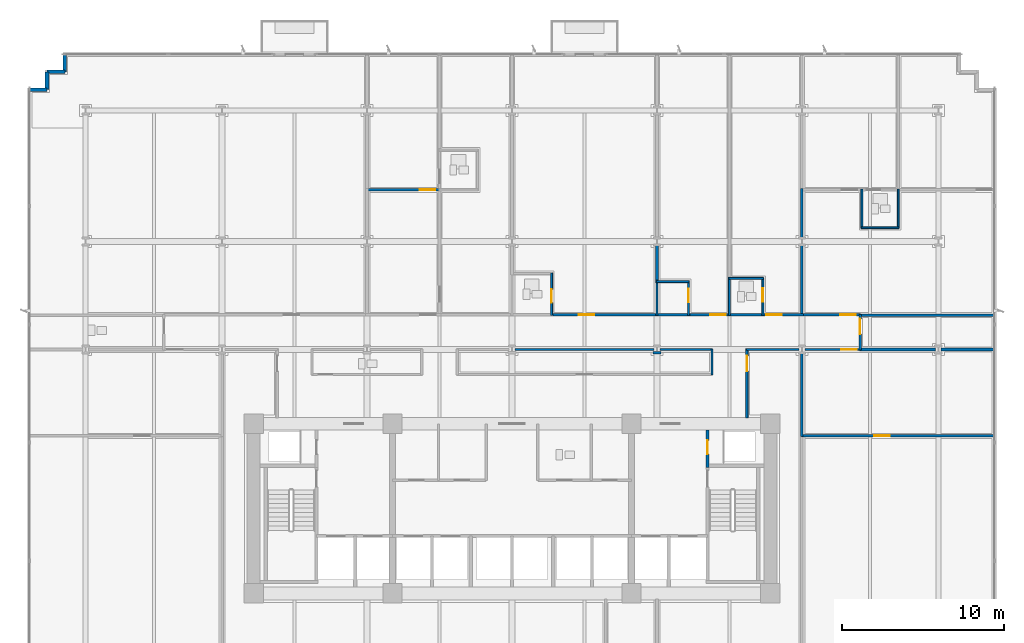
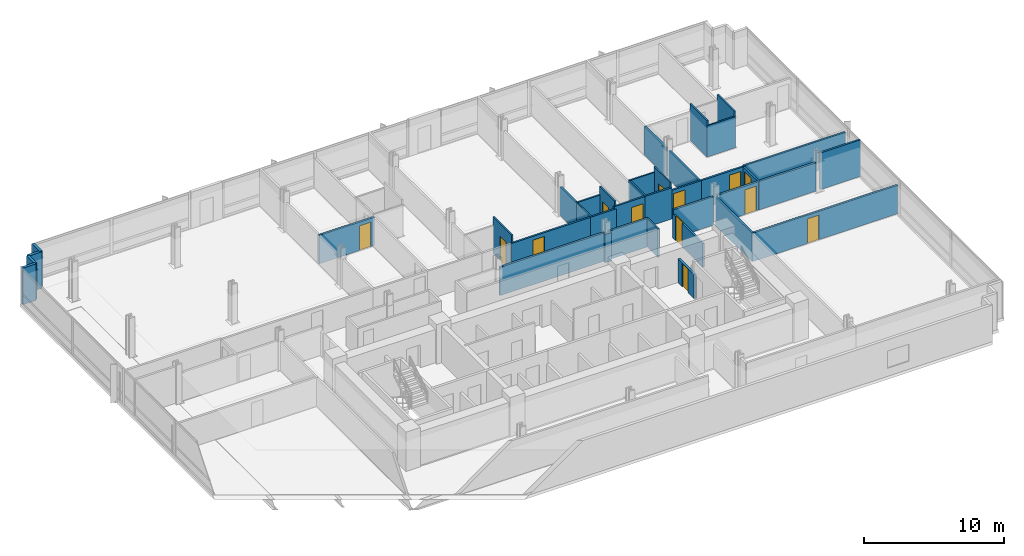
# One storey, part 10 of 17: 38 walls, 13 doors, 13 openings.
"""IFC4 building model written with IfcOpenShell, lengths in metres."""

from ifc_helpers import new_model, si_unit, direction, frame, frame_2d, origin, place, context, subcontext, project, spatial, rectangle, extrude, material, layer, layer_set, type_object, element, fill, save


model = new_model("IFC4")

# Units and contexts
model_context = context("Model", 3, precision=1e-05, world=origin(), true_north=direction((0.0, 1.0)))
body_context = subcontext(model_context, "Body", "Model", "MODEL_VIEW")
ifc_project = project(units=[si_unit("LENGTHUNIT", "METRE"), si_unit("AREAUNIT", "SQUARE_METRE"), si_unit("VOLUMEUNIT", "CUBIC_METRE"), si_unit("PLANEANGLEUNIT", "RADIAN"), si_unit("MASSUNIT", "GRAM", prefix="KILO")], contexts=[model_context])

# Site, building, storey
site_placement = place(None, origin())
site = spatial("IfcSite", under=ifc_project, at=site_placement, CompositionType="ELEMENT")
building_placement = place(site_placement, origin())
building = spatial("IfcBuilding", under=site, at=building_placement, Name="Solmavex Isthmus Hotel", CompositionType="ELEMENT")
storey_placement = place(building_placement, frame((0.0, 0.0, 47.10009765625)))
storey = spatial("IfcBuildingStorey", under=building, at=storey_placement, Name="L12", CompositionType="ELEMENT", Elevation=47.10009765625)

# Walls
ifc_material_1 = material(Name="Precast Concrete C40/50", Category="concrete")
ifc_layer_1 = layer(ifc_material_1, 0.25)
ifc_layer_set_1 = layer_set([ifc_layer_1], Name="Precast Concrete C40/50")
wall_type_1 = type_object("IfcWallType", Name="EW-TWR-250", PredefinedType="STANDARD", material=ifc_layer_set_1)
wall_1_placement = place(storey_placement, frame((-29.889892578125, 18.18994140625, 0.0), z_axis=(0.0, 0.0, 1.0), x_axis=(1.0, 0.0, 0.0)))
element("IfcWall", 1, at=wall_1_placement, inside=storey, type_object=wall_type_1, Name="Serrated Corner Facade Panel L12-06", PredefinedType="STANDARD", context=body_context, shape_type="SweptSolid", body=[
    extrude(rectangle(XDim=1.099853515625, YDim=0.219970703125, at=frame_2d((0.5498046875, 0.0))), origin(), (0.0, 0.0, 1.0), 3.18994140625),
])
for number, where, z_axis, x_axis, name in (
    (2, (-28.7900390625, 18.18994140625, 0.0), (0.0, 0.0, 1.0), (0.0, 1.0, 0.0), "Serrated Corner Facade Panel L12-07"),
    (3, (-28.7900390625, 19.2900390625, 0.0), (0.0, 0.0, 1.0), (1.0, 0.0, 0.0), "Serrated Corner Facade Panel L12-08"),
):
    element("IfcWall", number, at=place(storey_placement, frame(where, z_axis=z_axis, x_axis=x_axis)), inside=storey, type_object=wall_type_1, Name=name, PredefinedType="STANDARD", context=body_context, shape_type="SweptSolid", body=[
        extrude(rectangle(XDim=1.10009765625, YDim=0.219970703125, at=frame_2d((0.550048828125, 0.0))), origin(), (0.0, 0.0, 1.0), 3.18994140625),
    ])
wall_2_placement = place(storey_placement, frame((-27.68994140625, 19.2900390625, 0.0), z_axis=(0.0, 0.0, 1.0), x_axis=(0.0, 1.0, 0.0)))
element("IfcWall", 4, at=wall_2_placement, inside=storey, type_object=wall_type_1, Name="Serrated Corner Facade Panel L12-09", PredefinedType="STANDARD", context=body_context, shape_type="SweptSolid", body=[
    extrude(rectangle(XDim=1.099853515625, YDim=0.219970703125, at=frame_2d((0.5498046875, 0.0))), origin(), (0.0, 0.0, 1.0), 3.18994140625),
])

# Wall, opening, door
ifc_material_2 = material(Name="Gypsum plasterboard lining", Category="gypsum")
ifc_layer_2 = layer(ifc_material_2, 0.159912109375)
ifc_layer_set_2 = layer_set([ifc_layer_2], Name="Gypsum plasterboard lining")
wall_type_2 = type_object("IfcWallType", Name="IW-COMP-160", PredefinedType="PARTITIONING", material=ifc_layer_set_2)
wall_3_placement = place(storey_placement, frame((-9.01611328125, 11.988037109375, 0.0), z_axis=(0.0, 0.0, 1.0), x_axis=(1.0, 0.0, 0.0)))
wall_3 = element("IfcWall", 5, at=wall_3_placement, inside=storey, type_object=wall_type_2, Name="Interior Partition Wall W-L12-P038", PredefinedType="PARTITIONING", context=body_context, shape_type="SweptSolid", body=[
    extrude(rectangle(XDim=4.568115234375, YDim=0.159912109375, at=frame_2d((2.2841796875, 0.0))), origin(), (0.0, 0.0, 1.0), 2.4794921875),
])
opening_1_placement = place(wall_3_placement, frame((3.31689453125, 0.0, 0.0)))
opening_1 = element("IfcOpeningElement", 6, at=opening_1_placement, cuts=wall_3, Name="Opening ID-C095", PredefinedType="OPENING", context=body_context, shape_type="SweptSolid", body=[
    extrude(rectangle(XDim=0.949951171875, YDim=2.14990234375, at=frame_2d((0.47509765625, 1.074951171875))), frame((0.0, 0.08984375, 0.0), z_axis=(0.0, -1.0, 0.0), x_axis=(1.0, 0.0, 0.0)), (0.0, 0.0, 1.0), 0.179931640625),
])
ifc_material_3 = material(Name="Hardwood timber", Category="wood")
door_type_1 = type_object("IfcDoorType", Name="IDR-FD60-0950", OperationType="NOTDEFINED", PredefinedType="DOOR", material=ifc_material_3)
door_1_placement = place(opening_1_placement, origin())
door_1 = element("IfcDoor", 7, at=door_1_placement, inside=storey, type_object=door_type_1, Name="Premier Suite Master Bedroom Door L12-03", OperationType="SINGLE_SWING_LEFT", OverallHeight=2.14990234375, OverallWidth=0.949951171875, PredefinedType="DOOR", context=body_context, shape_type="SweptSolid", body=[
    extrude(rectangle(XDim=0.949951171875, YDim=2.14990234375, at=frame_2d((0.47509765625, 1.074951171875))), frame((0.0, 0.02490234375, 0.0), z_axis=(0.0, -1.0, 0.0), x_axis=(1.0, 0.0, 0.0)), (0.0, 0.0, 1.0), 0.050048828125),
])
fill(opening_1, door_1)

# Walls
wall_4_placement = place(storey_placement, frame((8.97607421875, 8.613037109375, 0.0), z_axis=(0.0, 0.0, 1.0), x_axis=(0.0, -1.0, 0.0)))
element("IfcWall", 8, at=wall_4_placement, inside=storey, type_object=wall_type_2, Name="Interior Partition Wall W-L12-P051", PredefinedType="PARTITIONING", context=body_context, shape_type="SweptSolid", body=[
    extrude(rectangle(XDim=2.39501953125, YDim=0.159912109375, at=frame_2d((1.197509765625, 0.0))), origin(), (0.0, 0.0, 1.0), 2.4794921875),
])
wall_5_placement = place(storey_placement, frame((17.951904296875, 8.613037109375, 0.0), z_axis=(0.0, 0.0, 1.0), x_axis=(0.0, -1.0, 0.0)))
element("IfcWall", 9, at=wall_5_placement, inside=storey, type_object=wall_type_2, Name="Interior Partition Wall W-L12-P061", PredefinedType="PARTITIONING", context=body_context, shape_type="SweptSolid", body=[
    extrude(rectangle(XDim=4.403076171875, YDim=0.159912109375, at=frame_2d((2.20166015625, 0.0))), origin(), (0.0, 0.0, 1.0), 2.4794921875),
])
wall_6_placement = place(storey_placement, frame((17.951904296875, 12.070068359375, 0.0), z_axis=(0.0, 0.0, 1.0), x_axis=(0.0, -1.0, 0.0)))
element("IfcWall", 10, at=wall_6_placement, inside=storey, type_object=wall_type_2, Name="Interior Partition Wall W-L12-P062", PredefinedType="PARTITIONING", context=body_context, shape_type="SweptSolid", body=[
    extrude(rectangle(XDim=3.107177734375, YDim=0.159912109375, at=frame_2d((1.5537109375, 0.0))), origin(), (0.0, 0.0, 1.0), 2.4794921875),
])
wall_7_placement = place(storey_placement, frame((29.919921875, 4.22998046875, 0.0), z_axis=(0.0, 0.0, 1.0), x_axis=(-1.0, 0.0, 0.0)))
element("IfcWall", 11, at=wall_7_placement, inside=storey, type_object=wall_type_2, Name="Interior Partition Wall W-L12-P070", PredefinedType="PARTITIONING", context=body_context, shape_type="SweptSolid", body=[
    extrude(rectangle(XDim=8.407958984375, YDim=0.159912109375, at=frame_2d((4.2041015625, 0.0))), origin(), (0.0, 0.0, 1.0), 2.55322265625),
])
wall_8_placement = place(storey_placement, frame((26.22509765625, 2.10009765625, 0.0), z_axis=(0.0, 0.0, 1.0), x_axis=(-1.0, 0.0, 0.0)))
element("IfcWall", 12, at=wall_8_placement, inside=storey, type_object=wall_type_2, Name="Interior Partition Wall W-L12-P075", PredefinedType="PARTITIONING", context=body_context, shape_type="SweptSolid", body=[
    extrude(rectangle(XDim=4.713134765625, YDim=0.159912109375, at=frame_2d((2.3564453125, 0.0))), origin(), (0.0, 0.0, 1.0), 2.4794921875),
])
wall_9_placement = place(storey_placement, frame((29.919921875, 2.10009765625, 0.0), z_axis=(0.0, 0.0, 1.0), x_axis=(-1.0, 0.0, 0.0)))
element("IfcWall", 13, at=wall_9_placement, inside=storey, type_object=wall_type_2, Name="Interior Partition Wall W-L12-P076", PredefinedType="PARTITIONING", context=body_context, shape_type="SweptSolid", body=[
    extrude(rectangle(XDim=3.344970703125, YDim=0.159912109375, at=frame_2d((1.67236328125, 0.0))), origin(), (0.0, 0.0, 1.0), 3.18994140625),
])
wall_10_placement = place(storey_placement, frame((17.951904296875, -3.2900390625, 0.0), z_axis=(0.0, 0.0, 1.0), x_axis=(0.0, 1.0, 0.0)))
element("IfcWall", 14, at=wall_10_placement, inside=storey, type_object=wall_type_2, Name="Interior Partition Wall W-L12-P079", PredefinedType="PARTITIONING", context=body_context, shape_type="SweptSolid", body=[
    extrude(rectangle(XDim=5.215087890625, YDim=0.159912109375, at=frame_2d((2.607421875, 0.0))), origin(), (0.0, 0.0, 1.0), 2.4794921875),
])

# Wall, opening, door
wall_11_placement = place(storey_placement, frame((29.919921875, -3.25, 0.0), z_axis=(0.0, 0.0, 1.0), x_axis=(-1.0, 0.0, 0.0)))
wall_11 = element("IfcWall", 15, at=wall_11_placement, inside=storey, type_object=wall_type_2, Name="Interior Partition Wall W-L12-P080", PredefinedType="PARTITIONING", context=body_context, shape_type="SweptSolid", body=[
    extrude(rectangle(XDim=12.0078125, YDim=0.159912109375, at=frame_2d((6.00390625, 0.0))), origin(), (0.0, 0.0, 1.0), 2.4794921875),
])
opening_2_placement = place(wall_11_placement, frame((6.531005859375, 0.0, 0.0)))
opening_2 = element("IfcOpeningElement", 16, at=opening_2_placement, cuts=wall_11, Name="Opening ID-C095", PredefinedType="OPENING", context=body_context, shape_type="SweptSolid", body=[
    extrude(rectangle(XDim=0.949951171875, YDim=2.14990234375, at=frame_2d((0.47509765625, 1.074951171875))), frame((0.0, 0.08984375, 0.0), z_axis=(0.0, -1.0, 0.0), x_axis=(1.0, 0.0, 0.0)), (0.0, 0.0, 1.0), 0.179931640625),
])
door_2_placement = place(opening_2_placement, origin())
door_2 = element("IfcDoor", 17, at=door_2_placement, inside=storey, type_object=door_type_1, Name="Corporate Briefing Office Door L12-26", OperationType="SINGLE_SWING_RIGHT", OverallHeight=2.14990234375, OverallWidth=0.949951171875, PredefinedType="DOOR", context=body_context, shape_type="SweptSolid", body=[
    extrude(rectangle(XDim=0.949951171875, YDim=2.14990234375, at=frame_2d((0.47509765625, 1.074951171875))), frame((0.0, 0.02490234375, 0.0), z_axis=(0.0, -1.0, 0.0), x_axis=(1.0, 0.0, 0.0)), (0.0, 0.0, 1.0), 0.050048828125),
])
fill(opening_2, door_2)

ifc_layer_3 = layer(ifc_material_2, 0.14990234375)
ifc_layer_set_3 = layer_set([ifc_layer_3], Name="Gypsum plasterboard lining")
wall_type_3 = type_object("IfcWallType", Name="IW-CORR-150", PredefinedType="PARTITIONING", material=ifc_layer_set_3)
wall_12_placement = place(storey_placement, frame((2.367919921875, 4.25, 0.0), z_axis=(0.0, 0.0, 1.0), x_axis=(1.0, 0.0, 0.0)))
wall_12 = element("IfcWall", 18, at=wall_12_placement, inside=storey, type_object=wall_type_3, Name="Interior Partition Wall W-L12-P004", PredefinedType="PARTITIONING", context=body_context, shape_type="SweptSolid", body=[
    extrude(rectangle(XDim=6.690185546875, YDim=0.14990234375, at=frame_2d((3.34521484375, 0.0))), origin(), (0.0, 0.0, 1.0), 2.4794921875),
])
opening_3_placement = place(wall_12_placement, frame((1.759521484375, 0.0, 0.0)))
opening_3 = element("IfcOpeningElement", 19, at=opening_3_placement, cuts=wall_12, Name="Opening ID-C095", PredefinedType="OPENING", context=body_context, shape_type="SweptSolid", body=[
    extrude(rectangle(XDim=0.949951171875, YDim=2.14990234375, at=frame_2d((0.47509765625, 1.074951171875))), frame((0.0, 0.0849609375, 0.0), z_axis=(0.0, -1.0, 0.0), x_axis=(1.0, 0.0, 0.0)), (0.0, 0.0, 1.0), 0.169921875),
])
door_3_placement = place(opening_3_placement, origin())
door_3 = element("IfcDoor", 20, at=door_3_placement, inside=storey, type_object=door_type_1, Name="Premier Suite Door L12-06", OperationType="SINGLE_SWING_RIGHT", OverallHeight=2.14990234375, OverallWidth=0.949951171875, PredefinedType="DOOR", context=body_context, shape_type="SweptSolid", body=[
    extrude(rectangle(XDim=0.949951171875, YDim=2.14990234375, at=frame_2d((0.47509765625, 1.074951171875))), frame((0.0, 0.02490234375, 0.0), z_axis=(0.0, -1.0, 0.0), x_axis=(1.0, 0.0, 0.0)), (0.0, 0.0, 1.0), 0.050048828125),
])
fill(opening_3, door_3)

wall_13_placement = place(storey_placement, frame((10.843994140625, 4.25, 0.0), z_axis=(0.0, 0.0, 1.0), x_axis=(1.0, 0.0, 0.0)))
wall_13 = element("IfcWall", 21, at=wall_13_placement, inside=storey, type_object=wall_type_3, Name="Interior Partition Wall W-L12-P006", PredefinedType="PARTITIONING", context=body_context, shape_type="SweptSolid", body=[
    extrude(rectangle(XDim=2.701904296875, YDim=0.14990234375, at=frame_2d((1.35107421875, 0.0))), origin(), (0.0, 0.0, 1.0), 2.718017578125),
])
opening_4_placement = place(wall_13_placement, frame((1.426513671875, 0.0, 0.0)))
opening_4 = element("IfcOpeningElement", 22, at=opening_4_placement, cuts=wall_13, Name="Opening ID-C095", PredefinedType="OPENING", context=body_context, shape_type="SweptSolid", body=[
    extrude(rectangle(XDim=0.949951171875, YDim=2.14990234375, at=frame_2d((0.47509765625, 1.074951171875))), frame((0.0, 0.0849609375, 0.0), z_axis=(0.0, -1.0, 0.0), x_axis=(1.0, 0.0, 0.0)), (0.0, 0.0, 1.0), 0.169921875),
])
door_4_placement = place(opening_4_placement, origin())
door_4 = element("IfcDoor", 23, at=door_4_placement, inside=storey, type_object=door_type_1, Name="Deluxe Guest Room Door L12-08", OperationType="SINGLE_SWING_RIGHT", OverallHeight=2.14990234375, OverallWidth=0.949951171875, PredefinedType="DOOR", context=body_context, shape_type="SweptSolid", body=[
    extrude(rectangle(XDim=0.949951171875, YDim=2.14990234375, at=frame_2d((0.47509765625, 1.074951171875))), frame((0.0, 0.02490234375, 0.0), z_axis=(0.0, -1.0, 0.0), x_axis=(1.0, 0.0, 0.0)), (0.0, 0.0, 1.0), 0.050048828125),
])
fill(opening_4, door_4)

# Wall
wall_14_placement = place(storey_placement, frame((8.89404296875, 4.25, 0.0), z_axis=(0.0, 0.0, 1.0), x_axis=(1.0, 0.0, 0.0)))
element("IfcWall", 24, at=wall_14_placement, inside=storey, type_object=wall_type_3, Name="Interior Partition Wall W-L12-P007", PredefinedType="PARTITIONING", context=body_context, shape_type="SweptSolid", body=[
    extrude(rectangle(XDim=2.114013671875, YDim=0.14990234375, at=frame_2d((1.05712890625, 0.0))), origin(), (0.0, 0.0, 1.0), 2.4794921875),
])

# Wall, opening, door
wall_15_placement = place(storey_placement, frame((15.446533203125, 4.25, 0.0), z_axis=(0.0, 0.0, 1.0), x_axis=(1.0, 0.0, 0.0)))
wall_15 = element("IfcWall", 25, at=wall_15_placement, inside=storey, type_object=wall_type_3, Name="Interior Partition Wall W-L12-P008", PredefinedType="PARTITIONING", context=body_context, shape_type="SweptSolid", body=[
    extrude(rectangle(XDim=2.58740234375, YDim=0.14990234375, at=frame_2d((1.293701171875, 0.0))), origin(), (0.0, 0.0, 1.0), 2.4794921875),
])
opening_5_placement = place(wall_15_placement, frame((0.292236328125, 0.0, 0.0)))
opening_5 = element("IfcOpeningElement", 26, at=opening_5_placement, cuts=wall_15, Name="Opening ID-C095", PredefinedType="OPENING", context=body_context, shape_type="SweptSolid", body=[
    extrude(rectangle(XDim=0.949951171875, YDim=2.14990234375, at=frame_2d((0.47509765625, 1.074951171875))), frame((0.0, 0.0849609375, 0.0), z_axis=(0.0, -1.0, 0.0), x_axis=(1.0, 0.0, 0.0)), (0.0, 0.0, 1.0), 0.169921875),
])
door_5_placement = place(opening_5_placement, origin())
door_5 = element("IfcDoor", 27, at=door_5_placement, inside=storey, type_object=door_type_1, Name="Superior King Room Door L12-10", OperationType="SINGLE_SWING_RIGHT", OverallHeight=2.14990234375, OverallWidth=0.949951171875, PredefinedType="DOOR", context=body_context, shape_type="SweptSolid", body=[
    extrude(rectangle(XDim=0.949951171875, YDim=2.14990234375, at=frame_2d((0.47509765625, 1.074951171875))), frame((0.0, 0.02490234375, 0.0), z_axis=(0.0, -1.0, 0.0), x_axis=(1.0, 0.0, 0.0)), (0.0, 0.0, 1.0), 0.050048828125),
])
fill(opening_5, door_5)

# Wall
wall_16_placement = place(storey_placement, frame((13.382080078125, 4.25, 0.0), z_axis=(0.0, 0.0, 1.0), x_axis=(1.0, 0.0, 0.0)))
element("IfcWall", 28, at=wall_16_placement, inside=storey, type_object=wall_type_3, Name="Interior Partition Wall W-L12-P009", PredefinedType="PARTITIONING", context=body_context, shape_type="SweptSolid", body=[
    extrude(rectangle(XDim=2.228515625, YDim=0.14990234375, at=frame_2d((1.1142578125, 0.0))), origin(), (0.0, 0.0, 1.0), 2.718017578125),
])

# Wall, opening, door
wall_17_placement = place(storey_placement, frame((17.8701171875, 4.25, 0.0), z_axis=(0.0, 0.0, 1.0), x_axis=(1.0, 0.0, 0.0)))
wall_17 = element("IfcWall", 29, at=wall_17_placement, inside=storey, type_object=wall_type_3, Name="Interior Partition Wall W-L12-P010", PredefinedType="PARTITIONING", context=body_context, shape_type="SweptSolid", body=[
    extrude(rectangle(XDim=3.721923828125, YDim=0.14990234375, at=frame_2d((1.86083984375, 0.0))), origin(), (0.0, 0.0, 1.0), 2.4794921875),
])
opening_6_placement = place(wall_17_placement, frame((2.456787109375, 0.0, 0.0)))
opening_6 = element("IfcOpeningElement", 30, at=opening_6_placement, cuts=wall_17, Name="Opening ID-C095", PredefinedType="OPENING", context=body_context, shape_type="SweptSolid", body=[
    extrude(rectangle(XDim=0.949951171875, YDim=2.14990234375, at=frame_2d((0.47509765625, 1.074951171875))), frame((0.0, 0.0849609375, 0.0), z_axis=(0.0, -1.0, 0.0), x_axis=(1.0, 0.0, 0.0)), (0.0, 0.0, 1.0), 0.169921875),
])
door_6_placement = place(opening_6_placement, origin())
door_6 = element("IfcDoor", 31, at=door_6_placement, inside=storey, type_object=door_type_1, Name="Corner Diplomatic Suite Reception Foyer Door L12-12", OperationType="SINGLE_SWING_RIGHT", OverallHeight=2.14990234375, OverallWidth=0.949951171875, PredefinedType="DOOR", context=body_context, shape_type="SweptSolid", body=[
    extrude(rectangle(XDim=0.949951171875, YDim=2.14990234375, at=frame_2d((0.47509765625, 1.074951171875))), frame((0.0, 0.02490234375, 0.0), z_axis=(0.0, -1.0, 0.0), x_axis=(1.0, 0.0, 0.0)), (0.0, 0.0, 1.0), 0.050048828125),
])
fill(opening_6, door_6)

wall_18_placement = place(storey_placement, frame((21.552001953125, 4.27001953125, 0.0), z_axis=(0.0, 0.0, 1.0), x_axis=(0.0, -1.0, 0.0)))
wall_18 = element("IfcWall", 32, at=wall_18_placement, inside=storey, type_object=wall_type_3, Name="Interior Partition Wall W-L12-P018", PredefinedType="PARTITIONING", context=body_context, shape_type="SweptSolid", body=[
    extrude(rectangle(XDim=2.2099609375, YDim=0.14990234375, at=frame_2d((1.10498046875, 0.0))), origin(), (0.0, 0.0, 1.0), 2.4794921875),
])
opening_7_placement = place(wall_18_placement, frame((0.272216796875, 0.0, 0.0)))
opening_7 = element("IfcOpeningElement", 33, at=opening_7_placement, cuts=wall_18, Name="Opening ID-C095", PredefinedType="OPENING", context=body_context, shape_type="SweptSolid", body=[
    extrude(rectangle(XDim=0.949951171875, YDim=2.14990234375, at=frame_2d((0.47509765625, 1.074951171875))), frame((0.0, 0.0849609375, 0.0), z_axis=(0.0, -1.0, 0.0), x_axis=(1.0, 0.0, 0.0)), (0.0, 0.0, 1.0), 0.169921875),
])
door_7_placement = place(opening_7_placement, origin())
door_7 = element("IfcDoor", 34, at=door_7_placement, inside=storey, type_object=door_type_1, Name="Hospitality Tea Kitchen Door L12-18", OperationType="SINGLE_SWING_RIGHT", OverallHeight=2.14990234375, OverallWidth=0.949951171875, PredefinedType="DOOR", context=body_context, shape_type="SweptSolid", body=[
    extrude(rectangle(XDim=0.949951171875, YDim=2.14990234375, at=frame_2d((0.47509765625, 1.074951171875))), frame((0.0, 0.02490234375, 0.0), z_axis=(0.0, -1.0, 0.0), x_axis=(1.0, 0.0, 0.0)), (0.0, 0.0, 1.0), 0.050048828125),
])
fill(opening_7, door_7)

# Walls
wall_19_placement = place(storey_placement, frame((12.384033203125, 0.510009765625, 0.0), z_axis=(0.0, 0.0, 1.0), x_axis=(0.0, 1.0, 0.0)))
element("IfcWall", 35, at=wall_19_placement, inside=storey, type_object=wall_type_3, Name="Interior Partition Wall W-L12-P023", PredefinedType="PARTITIONING", context=body_context, shape_type="SweptSolid", body=[
    extrude(rectangle(XDim=1.6298828125, YDim=0.14990234375, at=frame_2d((0.81494140625, 0.0))), origin(), (0.0, 0.0, 1.0), 2.4794921875),
])
wall_20_placement = place(storey_placement, frame((12.424072265625, 2.10009765625, 0.0), z_axis=(0.0, 0.0, 1.0), x_axis=(-1.0, 0.0, 0.0)))
element("IfcWall", 36, at=wall_20_placement, inside=storey, type_object=wall_type_3, Name="Interior Partition Wall W-L12-P024", PredefinedType="PARTITIONING", context=body_context, shape_type="SweptSolid", body=[
    extrude(rectangle(XDim=3.273193359375, YDim=0.14990234375, at=frame_2d((1.63671875, 0.0))), origin(), (0.0, 0.0, 1.0), 2.4794921875),
])
wall_21_placement = place(storey_placement, frame((9.23095703125, 1.885009765625, 0.0), z_axis=(0.0, 0.0, 1.0), x_axis=(-1.0, 0.0, 0.0)))
element("IfcWall", 37, at=wall_21_placement, inside=storey, type_object=wall_type_3, Name="Interior Partition Wall W-L12-P025", PredefinedType="PARTITIONING", context=body_context, shape_type="SweptSolid", body=[
    extrude(rectangle(XDim=0.510009765625, YDim=0.14990234375, at=frame_2d((0.2548828125, 0.0))), origin(), (0.0, 0.0, 1.0), 2.4794921875),
])
wall_22_placement = place(storey_placement, frame((8.801025390625, 2.10009765625, 0.0), z_axis=(0.0, 0.0, 1.0), x_axis=(-1.0, 0.0, 0.0)))
element("IfcWall", 38, at=wall_22_placement, inside=storey, type_object=wall_type_3, Name="Interior Partition Wall W-L12-P026", PredefinedType="PARTITIONING", context=body_context, shape_type="SweptSolid", body=[
    extrude(rectangle(XDim=8.6259765625, YDim=0.14990234375, at=frame_2d((4.31298828125, 0.0))), origin(), (0.0, 0.0, 1.0), 2.4794921875),
])

# Wall, opening, door
wall_23_placement = place(storey_placement, frame((21.592041015625, 2.10009765625, 0.0), z_axis=(0.0, 0.0, 1.0), x_axis=(-1.0, 0.0, 0.0)))
wall_23 = element("IfcWall", 39, at=wall_23_placement, inside=storey, type_object=wall_type_3, Name="Interior Partition Wall W-L12-P028", PredefinedType="PARTITIONING", context=body_context, shape_type="SweptSolid", body=[
    extrude(rectangle(XDim=3.465087890625, YDim=0.14990234375, at=frame_2d((1.732421875, 0.0))), origin(), (0.0, 0.0, 1.0), 2.4794921875),
])
opening_8_placement = place(wall_23_placement, frame((0.26220703125, 0.0, 0.0)))
opening_8 = element("IfcOpeningElement", 40, at=opening_8_placement, cuts=wall_23, Name="Opening ID-C095", PredefinedType="OPENING", context=body_context, shape_type="SweptSolid", body=[
    extrude(rectangle(XDim=0.949951171875, YDim=2.14990234375, at=frame_2d((0.47509765625, 1.074951171875))), frame((0.0, 0.0849609375, 0.0), z_axis=(0.0, -1.0, 0.0), x_axis=(1.0, 0.0, 0.0)), (0.0, 0.0, 1.0), 0.169921875),
])
door_8_placement = place(opening_8_placement, origin())
door_8 = element("IfcDoor", 41, at=door_8_placement, inside=storey, type_object=door_type_1, Name="Seminar Meeting Room Door L12-21", OperationType="SINGLE_SWING_LEFT", OverallHeight=2.14990234375, OverallWidth=0.949951171875, PredefinedType="DOOR", context=body_context, shape_type="SweptSolid", body=[
    extrude(rectangle(XDim=0.949951171875, YDim=2.14990234375, at=frame_2d((0.47509765625, 1.074951171875))), frame((0.0, 0.02490234375, 0.0), z_axis=(0.0, -1.0, 0.0), x_axis=(1.0, 0.0, 0.0)), (0.0, 0.0, 1.0), 0.050048828125),
])
fill(opening_8, door_8)

# Wall
wall_24_placement = place(storey_placement, frame((17.777099609375, 2.10009765625, 0.0), z_axis=(0.0, 0.0, 1.0), x_axis=(-1.0, 0.0, 0.0)))
element("IfcWall", 42, at=wall_24_placement, inside=storey, type_object=wall_type_3, Name="Interior Partition Wall W-L12-P029", PredefinedType="PARTITIONING", context=body_context, shape_type="SweptSolid", body=[
    extrude(rectangle(XDim=3.273193359375, YDim=0.14990234375, at=frame_2d((1.63671875, 0.0))), origin(), (0.0, 0.0, 1.0), 2.4794921875),
])

# Wall, opening, door
wall_25_placement = place(storey_placement, frame((14.5439453125, 2.139892578125, 0.0), z_axis=(0.0, 0.0, 1.0), x_axis=(0.0, -1.0, 0.0)))
wall_25 = element("IfcWall", 43, at=wall_25_placement, inside=storey, type_object=wall_type_3, Name="Interior Partition Wall W-L12-P030", PredefinedType="PARTITIONING", context=body_context, shape_type="SweptSolid", body=[
    extrude(rectangle(XDim=4.27978515625, YDim=0.14990234375, at=frame_2d((2.139892578125, 0.0))), origin(), (0.0, 0.0, 1.0), 2.074951171875),
])
opening_9_placement = place(wall_25_placement, frame((0.43017578125, 0.0, 0.0)))
opening_9 = element("IfcOpeningElement", 44, at=opening_9_placement, cuts=wall_25, Name="Opening ID-C095", PredefinedType="OPENING", context=body_context, shape_type="SweptSolid", body=[
    extrude(rectangle(XDim=0.949951171875, YDim=2.14990234375, at=frame_2d((0.47509765625, 1.074951171875))), frame((0.0, 0.0849609375, 0.0), z_axis=(0.0, -1.0, 0.0), x_axis=(1.0, 0.0, 0.0)), (0.0, 0.0, 1.0), 0.169921875),
])
door_9_placement = place(opening_9_placement, frame((0.949951171875, 0.0, 0.0), z_axis=(0.0, 0.0, 1.0), x_axis=(-1.0, 0.0, 0.0)))
door_9 = element("IfcDoor", 45, at=door_9_placement, inside=storey, type_object=door_type_1, Name="Catering Servery Kitchen Door L12-22", OperationType="SINGLE_SWING_RIGHT", OverallHeight=2.14990234375, OverallWidth=0.949951171875, PredefinedType="DOOR", context=body_context, shape_type="SweptSolid", body=[
    extrude(rectangle(XDim=0.949951171875, YDim=2.14990234375, at=frame_2d((0.47509765625, 1.074951171875))), frame((0.0, 0.02490234375, 0.0), z_axis=(0.0, -1.0, 0.0), x_axis=(1.0, 0.0, 0.0)), (0.0, 0.0, 1.0), 0.050048828125),
])
fill(opening_9, door_9)

ifc_layer_4 = layer(ifc_material_2, 0.1201171875)
ifc_layer_set_4 = layer_set([ifc_layer_4], Name="Gypsum plasterboard lining")
wall_type_4 = type_object("IfcWallType", Name="IW-PART-120", PredefinedType="PARTITIONING", material=ifc_layer_set_4)
wall_26_placement = place(storey_placement, frame((2.449951171875, 4.2099609375, 0.0), z_axis=(0.0, 0.0, 1.0), x_axis=(0.0, 1.0, 0.0)))
wall_26 = element("IfcWall", 46, at=wall_26_placement, inside=storey, type_object=wall_type_4, Name="Interior Partition Wall W-L12-P049", PredefinedType="PARTITIONING", context=body_context, shape_type="SweptSolid", body=[
    extrude(rectangle(XDim=2.630126953125, YDim=0.1201171875, at=frame_2d((1.31494140625, 0.0))), origin(), (0.0, 0.0, 1.0), 3.18994140625),
])
opening_10_placement = place(wall_26_placement, frame((0.782958984375, 0.0, 0.0)))
opening_10 = element("IfcOpeningElement", 47, at=opening_10_placement, cuts=wall_26, Name="Opening ID-U085", PredefinedType="OPENING", context=body_context, shape_type="SweptSolid", body=[
    extrude(rectangle(XDim=0.85009765625, YDim=2.10009765625, at=frame_2d((0.425048828125, 1.050048828125))), frame((0.0, 0.070068359375, 0.0), z_axis=(0.0, -1.0, 0.0), x_axis=(1.0, 0.0, 0.0)), (0.0, 0.0, 1.0), 0.14013671875),
])
door_type_2 = type_object("IfcDoorType", Name="IDR-UNR-0850", OperationType="NOTDEFINED", PredefinedType="DOOR", material=ifc_material_3)
door_10_placement = place(opening_10_placement, frame((0.85009765625, 0.0, 0.0), z_axis=(0.0, 0.0, 1.0), x_axis=(-1.0, 0.0, 0.0)))
door_10 = element("IfcDoor", 48, at=door_10_placement, inside=storey, type_object=door_type_2, Name="En-suite Bathroom Door L12-07", OperationType="SINGLE_SWING_LEFT", OverallHeight=2.10009765625, OverallWidth=0.85009765625, PredefinedType="DOOR", context=body_context, shape_type="SweptSolid", body=[
    extrude(rectangle(XDim=0.85009765625, YDim=2.10009765625, at=frame_2d((0.425048828125, 1.050048828125))), frame((0.0, 0.02490234375, 0.0), z_axis=(0.0, -1.0, 0.0), x_axis=(1.0, 0.0, 0.0)), (0.0, 0.0, 1.0), 0.050048828125),
])
fill(opening_10, door_10)

# Wall
wall_27_placement = place(storey_placement, frame((8.97607421875, 6.382080078125, 0.0), z_axis=(0.0, 0.0, 1.0), x_axis=(0.0, -1.0, 0.0)))
element("IfcWall", 49, at=wall_27_placement, inside=storey, type_object=wall_type_4, Name="Interior Partition Wall W-L12-P054", PredefinedType="PARTITIONING", context=body_context, shape_type="SweptSolid", body=[
    extrude(rectangle(XDim=2.172119140625, YDim=0.1201171875, at=frame_2d((1.0859375, 0.0))), origin(), (0.0, 0.0, 1.0), 2.4794921875),
])

# Wall, opening, door
wall_28_placement = place(storey_placement, frame((10.926025390625, 4.2099609375, 0.0), z_axis=(0.0, 0.0, 1.0), x_axis=(0.0, 1.0, 0.0)))
wall_28 = element("IfcWall", 50, at=wall_28_placement, inside=storey, type_object=wall_type_4, Name="Interior Partition Wall W-L12-P055", PredefinedType="PARTITIONING", context=body_context, shape_type="SweptSolid", body=[
    extrude(rectangle(XDim=2.130126953125, YDim=0.1201171875, at=frame_2d((1.06494140625, 0.0))), origin(), (0.0, 0.0, 1.0), 3.18994140625),
])
opening_11_placement = place(wall_28_placement, frame((0.812255859375, 0.0, 0.0)))
opening_11 = element("IfcOpeningElement", 51, at=opening_11_placement, cuts=wall_28, Name="Opening ID-U085", PredefinedType="OPENING", context=body_context, shape_type="SweptSolid", body=[
    extrude(rectangle(XDim=0.85009765625, YDim=2.10009765625, at=frame_2d((0.425048828125, 1.050048828125))), frame((0.0, 0.070068359375, 0.0), z_axis=(0.0, -1.0, 0.0), x_axis=(1.0, 0.0, 0.0)), (0.0, 0.0, 1.0), 0.14013671875),
])
door_11_placement = place(opening_11_placement, frame((0.85009765625, 0.0, 0.0), z_axis=(0.0, 0.0, 1.0), x_axis=(-1.0, 0.0, 0.0)))
door_11 = element("IfcDoor", 52, at=door_11_placement, inside=storey, type_object=door_type_2, Name="En-suite Bathroom Door L12-09", OperationType="SINGLE_SWING_LEFT", OverallHeight=2.10009765625, OverallWidth=0.85009765625, PredefinedType="DOOR", context=body_context, shape_type="SweptSolid", body=[
    extrude(rectangle(XDim=0.85009765625, YDim=2.10009765625, at=frame_2d((0.425048828125, 1.050048828125))), frame((0.0, 0.02490234375, 0.0), z_axis=(0.0, -1.0, 0.0), x_axis=(1.0, 0.0, 0.0)), (0.0, 0.0, 1.0), 0.050048828125),
])
fill(opening_11, door_11)

# Walls
wall_29_placement = place(storey_placement, frame((10.966064453125, 6.300048828125, 0.0), z_axis=(0.0, 0.0, 1.0), x_axis=(-1.0, 0.0, 0.0)))
element("IfcWall", 53, at=wall_29_placement, inside=storey, type_object=wall_type_4, Name="Interior Partition Wall W-L12-P056", PredefinedType="PARTITIONING", context=body_context, shape_type="SweptSolid", body=[
    extrude(rectangle(XDim=2.030029296875, YDim=0.1201171875, at=frame_2d((1.01513671875, 0.0))), origin(), (0.0, 0.0, 1.0), 2.4794921875),
])
wall_30_placement = place(storey_placement, frame((13.464111328125, 6.58203125, 0.0), z_axis=(0.0, 0.0, 1.0), x_axis=(0.0, -1.0, 0.0)))
element("IfcWall", 54, at=wall_30_placement, inside=storey, type_object=wall_type_4, Name="Interior Partition Wall W-L12-P058", PredefinedType="PARTITIONING", context=body_context, shape_type="SweptSolid", body=[
    extrude(rectangle(XDim=2.3720703125, YDim=0.1201171875, at=frame_2d((1.18603515625, 0.0))), origin(), (0.0, 0.0, 1.0), 2.718017578125),
])

# Wall, opening, door
wall_31_placement = place(storey_placement, frame((15.528564453125, 4.2099609375, 0.0), z_axis=(0.0, 0.0, 1.0), x_axis=(0.0, 1.0, 0.0)))
wall_31 = element("IfcWall", 55, at=wall_31_placement, inside=storey, type_object=wall_type_4, Name="Interior Partition Wall W-L12-P059", PredefinedType="PARTITIONING", context=body_context, shape_type="SweptSolid", body=[
    extrude(rectangle(XDim=2.330078125, YDim=0.1201171875, at=frame_2d((1.1650390625, 0.0))), origin(), (0.0, 0.0, 1.0), 3.18994140625),
])
opening_12_placement = place(wall_31_placement, frame((0.83447265625, 0.0, 0.0)))
opening_12 = element("IfcOpeningElement", 56, at=opening_12_placement, cuts=wall_31, Name="Opening ID-U085", PredefinedType="OPENING", context=body_context, shape_type="SweptSolid", body=[
    extrude(rectangle(XDim=0.85009765625, YDim=2.10009765625, at=frame_2d((0.425048828125, 1.050048828125))), frame((0.0, 0.070068359375, 0.0), z_axis=(0.0, -1.0, 0.0), x_axis=(1.0, 0.0, 0.0)), (0.0, 0.0, 1.0), 0.14013671875),
])
door_12_placement = place(opening_12_placement, origin())
door_12 = element("IfcDoor", 57, at=door_12_placement, inside=storey, type_object=door_type_2, Name="En-suite Bathroom Door L12-11", OperationType="SINGLE_SWING_LEFT", OverallHeight=2.10009765625, OverallWidth=0.85009765625, PredefinedType="DOOR", context=body_context, shape_type="SweptSolid", body=[
    extrude(rectangle(XDim=0.85009765625, YDim=2.10009765625, at=frame_2d((0.425048828125, 1.050048828125))), frame((0.0, 0.02490234375, 0.0), z_axis=(0.0, -1.0, 0.0), x_axis=(1.0, 0.0, 0.0)), (0.0, 0.0, 1.0), 0.050048828125),
])
fill(opening_12, door_12)

# Walls
wall_32_placement = place(storey_placement, frame((15.568359375, 6.5, 0.0), z_axis=(0.0, 0.0, 1.0), x_axis=(-1.0, 0.0, 0.0)))
element("IfcWall", 58, at=wall_32_placement, inside=storey, type_object=wall_type_4, Name="Interior Partition Wall W-L12-P060", PredefinedType="PARTITIONING", context=body_context, shape_type="SweptSolid", body=[
    extrude(rectangle(XDim=2.144287109375, YDim=0.1201171875, at=frame_2d((1.072265625, 0.0))), origin(), (0.0, 0.0, 1.0), 2.718017578125),
])
wall_33_placement = place(storey_placement, frame((21.666015625, 12.028076171875, 0.0), z_axis=(0.0, 0.0, 1.0), x_axis=(0.0, -1.0, 0.0)))
element("IfcWall", 59, at=wall_33_placement, inside=storey, type_object=wall_type_4, Name="Interior Partition Wall W-L12-P067", PredefinedType="PARTITIONING", context=body_context, shape_type="SweptSolid", body=[
    extrude(rectangle(XDim=2.43017578125, YDim=0.1201171875, at=frame_2d((1.215087890625, 0.0))), origin(), (0.0, 0.0, 1.0), 3.18994140625),
])
wall_34_placement = place(storey_placement, frame((21.6259765625, 9.637939453125, 0.0), z_axis=(0.0, 0.0, 1.0), x_axis=(1.0, 0.0, 0.0)))
element("IfcWall", 60, at=wall_34_placement, inside=storey, type_object=wall_type_4, Name="Interior Partition Wall W-L12-P068", PredefinedType="PARTITIONING", context=body_context, shape_type="SweptSolid", body=[
    extrude(rectangle(XDim=2.330078125, YDim=0.1201171875, at=frame_2d((1.1650390625, 0.0))), origin(), (0.0, 0.0, 1.0), 2.718017578125),
])
wall_35_placement = place(storey_placement, frame((23.916015625, 9.597900390625, 0.0), z_axis=(0.0, 0.0, 1.0), x_axis=(0.0, 1.0, 0.0)))
element("IfcWall", 61, at=wall_35_placement, inside=storey, type_object=wall_type_4, Name="Interior Partition Wall W-L12-P069", PredefinedType="PARTITIONING", context=body_context, shape_type="SweptSolid", body=[
    extrude(rectangle(XDim=2.43017578125, YDim=0.1201171875, at=frame_2d((1.215087890625, 0.0))), origin(), (0.0, 0.0, 1.0), 3.18994140625),
])

# Wall, opening, door
ifc_material_4 = material(Name="Concrete C40/50", Category="concrete")
ifc_layer_5 = layer(ifc_material_4, 0.199951171875)
ifc_layer_set_5 = layer_set([ifc_layer_5], Name="Concrete C40/50")
wall_type_5 = type_object("IfcWallType", Name="IW-SHAFT-200", PredefinedType="PARTITIONING", material=ifc_layer_set_5)
wall_36_placement = place(storey_placement, frame((12.10009765625, -5.199951171875, 0.0), z_axis=(0.0, 0.0, 1.0), x_axis=(0.0, 1.0, 0.0)))
wall_36 = element("IfcWall", 62, at=wall_36_placement, inside=storey, type_object=wall_type_5, Name="Interior Partition Wall W-L12-RSE-W", PredefinedType="PARTITIONING", context=body_context, shape_type="SweptSolid", body=[
    extrude(rectangle(XDim=2.300048828125, YDim=0.199951171875, at=frame_2d((1.14990234375, 0.0))), origin(), (0.0, 0.0, 1.0), 2.074951171875),
])
opening_13_placement = place(wall_36_placement, frame((0.824951171875, 0.0, 0.0)))
opening_13 = element("IfcOpeningElement", 63, at=opening_13_placement, cuts=wall_36, Name="Opening ID-R085", PredefinedType="OPENING", context=body_context, shape_type="SweptSolid", body=[
    extrude(rectangle(XDim=0.85009765625, YDim=2.050048828125, at=frame_2d((0.425048828125, 1.02490234375))), frame((0.0, 0.10986328125, 0.0), z_axis=(0.0, -1.0, 0.0), x_axis=(1.0, 0.0, 0.0)), (0.0, 0.0, 1.0), 0.219970703125),
])
ifc_material_5 = material(Name="Steel ASTM A500 Grade C", Category="steel")
door_type_3 = type_object("IfcDoorType", Name="IDR-FD60-0850", OperationType="NOTDEFINED", PredefinedType="DOOR", material=ifc_material_5)
door_13_placement = place(opening_13_placement, frame((0.85009765625, 0.0, 0.0), z_axis=(0.0, 0.0, 1.0), x_axis=(-1.0, 0.0, 0.0)))
door_13 = element("IfcDoor", 64, at=door_13_placement, inside=storey, type_object=door_type_3, Name="Mechanical Riser Door L12", OperationType="SINGLE_SWING_LEFT", OverallHeight=2.050048828125, OverallWidth=0.85009765625, PredefinedType="DOOR", context=body_context, shape_type="SweptSolid", body=[
    extrude(rectangle(XDim=0.85009765625, YDim=2.050048828125, at=frame_2d((0.425048828125, 1.02490234375))), frame((0.0, 0.02490234375, 0.0), z_axis=(0.0, -1.0, 0.0), x_axis=(1.0, 0.0, 0.0)), (0.0, 0.0, 1.0), 0.050048828125),
])
fill(opening_13, door_13)

save(model, "model.ifc")
